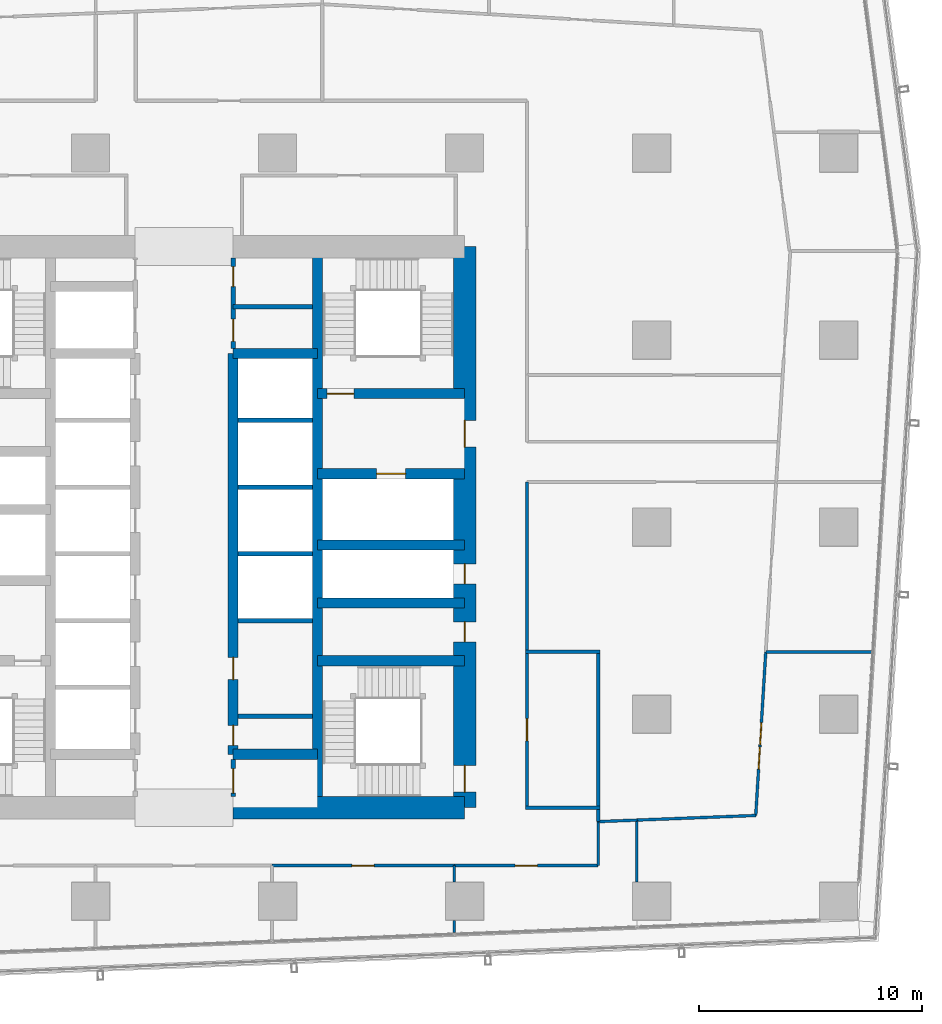
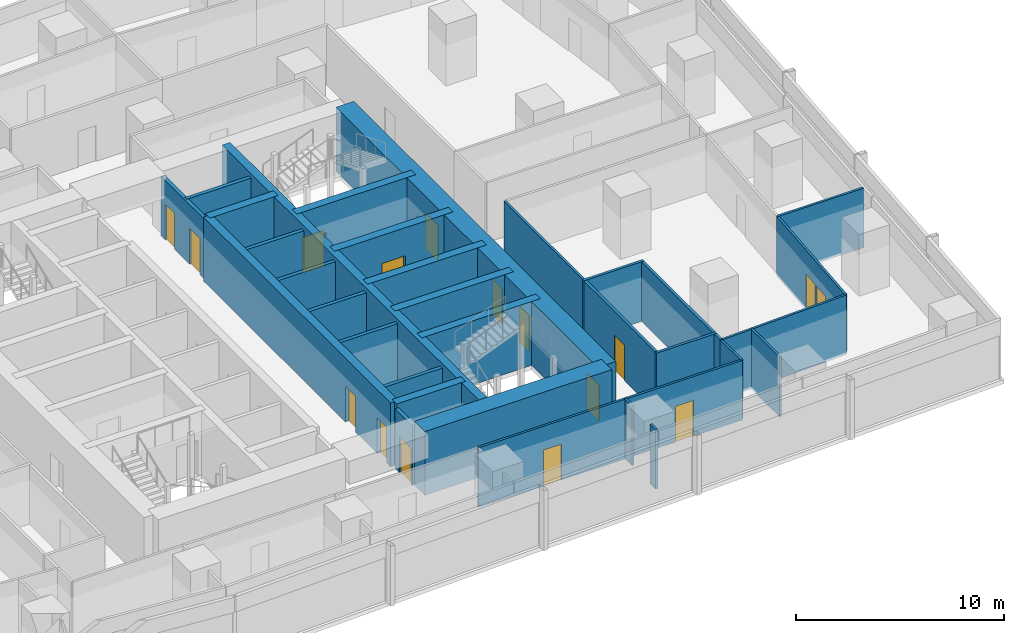
# One storey, part 30 of 40: 35 walls, 16 doors, 16 openings.
"""IFC4 building model written with IfcOpenShell, lengths in metres."""

from ifc_helpers import new_model, si_unit, direction, frame, frame_2d, origin, place, context, subcontext, project, spatial, rectangle, extrude, material, layer, layer_set, type_object, element, fill, save


model = new_model("IFC4")

# Units and contexts
model_context = context("Model", 3, precision=1e-05, world=origin(), true_north=direction((0.0, 1.0)))
body_context = subcontext(model_context, "Body", "Model", "MODEL_VIEW")
ifc_project = project(units=[si_unit("LENGTHUNIT", "METRE"), si_unit("AREAUNIT", "SQUARE_METRE"), si_unit("VOLUMEUNIT", "CUBIC_METRE"), si_unit("PLANEANGLEUNIT", "RADIAN"), si_unit("MASSUNIT", "GRAM", prefix="KILO")], contexts=[model_context])

# Site, building, storey
site_placement = place(None, origin())
site = spatial("IfcSite", under=ifc_project, at=site_placement, CompositionType="ELEMENT")
building_placement = place(site_placement, origin())
building = spatial("IfcBuilding", under=site, at=building_placement, Name="Rekha Terrace Tower", CompositionType="ELEMENT")
storey_placement = place(building_placement, frame((0.0, 0.0, 117.800048828125)))
storey = spatial("IfcBuildingStorey", under=building, at=storey_placement, Name="L29", CompositionType="ELEMENT", Elevation=117.800048828125)

# Wall
ifc_material_1 = material(Name="Concrete M70", Category="concrete")
ifc_layer_1 = layer(ifc_material_1, 0.449951171875)
ifc_layer_set_1 = layer_set([ifc_layer_1], Name="Concrete M70")
wall_type_1 = type_object("IfcWallType", Name="CI2 450 core internal shear wall", PredefinedType="SHEAR", material=ifc_layer_set_1)
wall_1_placement = place(storey_placement, frame((43.800048828125, 21.0, 0.0), z_axis=(0.0, 0.0, 1.0), x_axis=(0.0, 1.0, 0.0)))
element("IfcWall", 1, at=wall_1_placement, inside=storey, type_object=wall_type_1, Name="Core wall X438 L29", PredefinedType="SHEAR", context=body_context, shape_type="SweptSolid", body=[
    extrude(rectangle(XDim=25.199951171875, YDim=0.449951171875, at=frame_2d((12.60009765625, 0.0))), origin(), (0.0, 0.0, 1.0), 3.75),
])

# Wall, openings, doors
wall_2_placement = place(storey_placement, frame((40.0, 23.39990234375, 0.0), z_axis=(0.0, 0.0, 1.0), x_axis=(0.0, 1.0, 0.0)))
wall_2 = element("IfcWall", 2, at=wall_2_placement, inside=storey, type_object=wall_type_1, Name="Core wall X400 L29", PredefinedType="SHEAR", context=body_context, shape_type="SweptSolid", body=[
    extrude(rectangle(XDim=18.0, YDim=0.449951171875, at=frame_2d((9.0, 0.0))), origin(), (0.0, 0.0, 1.0), 3.75),
])
opening_1_placement = place(wall_2_placement, frame((0.39990234375, 0.0, 0.0)))
opening_1 = element("IfcOpeningElement", 3, at=opening_1_placement, cuts=wall_2, Name="Opening D5", PredefinedType="OPENING", context=body_context, shape_type="SweptSolid", body=[
    extrude(rectangle(XDim=0.89990234375, YDim=2.10009765625, at=frame_2d((0.449951171875, 1.050048828125))), frame((0.0, 0.23486328125, 0.0), z_axis=(0.0, -1.0, 0.0), x_axis=(1.0, 0.0, 0.0)), (0.0, 0.0, 1.0), 0.469970703125),
])
opening_2_placement = place(wall_2_placement, frame((3.35009765625, 0.0, 0.0)))
opening_2 = element("IfcOpeningElement", 4, at=opening_2_placement, cuts=wall_2, Name="Opening D3", PredefinedType="OPENING", context=body_context, shape_type="SweptSolid", body=[
    extrude(rectangle(XDim=1.0, YDim=2.10009765625, at=frame_2d((0.5, 1.050048828125))), frame((0.0, 0.23486328125, 0.0), z_axis=(0.0, -1.0, 0.0), x_axis=(1.0, 0.0, 0.0)), (0.0, 0.0, 1.0), 0.469970703125),
])
ifc_material_2 = material(Name="Laminated timber fire door", Category="wood")
door_type_1 = type_object("IfcDoorType", Name="D3 1000x2100 WC door", OperationType="SINGLE_SWING_LEFT", PredefinedType="DOOR", material=ifc_material_2)
door_1_placement = place(opening_2_placement, origin())
door_1 = element("IfcDoor", 5, at=door_1_placement, inside=storey, type_object=door_type_1, Name="Door staff wc L29", OperationType="SINGLE_SWING_LEFT", OverallHeight=2.10009765625, OverallWidth=1.0, PredefinedType="DOOR", context=body_context, shape_type="SweptSolid", body=[
    extrude(rectangle(XDim=1.0, YDim=2.10009765625, at=frame_2d((0.5, 1.050048828125))), frame((0.0, 0.02490234375, 0.0), z_axis=(0.0, -1.0, 0.0), x_axis=(1.0, 0.0, 0.0)), (0.0, 0.0, 1.0), 0.050048828125),
])
fill(opening_2, door_1)
ifc_material_3 = material(Name="Steel fire door", Category="steel")
door_type_2 = type_object("IfcDoorType", Name="D5 900x2100 riser access door", OperationType="SINGLE_SWING_LEFT", PredefinedType="DOOR", material=ifc_material_3)
door_2_placement = place(opening_1_placement, origin())
door_2 = element("IfcDoor", 6, at=door_2_placement, inside=storey, type_object=door_type_2, Name="Door records store L29", OperationType="SINGLE_SWING_LEFT", OverallHeight=2.10009765625, OverallWidth=0.89990234375, PredefinedType="DOOR", context=body_context, shape_type="SweptSolid", body=[
    extrude(rectangle(XDim=0.89990234375, YDim=2.10009765625, at=frame_2d((0.449951171875, 1.050048828125))), frame((0.0, 0.02490234375, 0.0), z_axis=(0.0, -1.0, 0.0), x_axis=(1.0, 0.0, 0.0)), (0.0, 0.0, 1.0), 0.050048828125),
])
fill(opening_1, door_2)

# Walls
for number, where, z_axis, x_axis, name in (
    (7, (40.0, 23.39990234375, 0.0), (0.0, 0.0, 1.0), (1.0, 0.0, 0.0), "Core wall Y234E L29"),
    (8, (40.0, 41.39990234375, 0.0), (0.0, 0.0, 1.0), (1.0, 0.0, 0.0), "Core wall Y414E L29"),
):
    element("IfcWall", number, at=place(storey_placement, frame(where, z_axis=z_axis, x_axis=x_axis)), inside=storey, type_object=wall_type_1, Name=name, PredefinedType="SHEAR", context=body_context, shape_type="SweptSolid", body=[
        extrude(rectangle(XDim=3.800048828125, YDim=0.449951171875, at=frame_2d((1.89990234375, 0.0))), origin(), (0.0, 0.0, 1.0), 3.75),
    ])
for number, where, z_axis, x_axis, name in (
    (9, (43.800048828125, 27.60009765625, 0.0), (0.0, 0.0, 1.0), (1.0, 0.0, 0.0), "Core wall Y276E L29"),
    (10, (43.800048828125, 30.199951171875, 0.0), (0.0, 0.0, 1.0), (1.0, 0.0, 0.0), "Core wall Y302E L29"),
    (11, (43.800048828125, 32.800048828125, 0.0), (0.0, 0.0, 1.0), (1.0, 0.0, 0.0), "Core wall Y328E L29"),
):
    element("IfcWall", number, at=place(storey_placement, frame(where, z_axis=z_axis, x_axis=x_axis)), inside=storey, type_object=wall_type_1, Name=name, PredefinedType="SHEAR", context=body_context, shape_type="SweptSolid", body=[
        extrude(rectangle(XDim=6.599853515625, YDim=0.449951171875, at=frame_2d((3.2998046875, 0.0))), origin(), (0.0, 0.0, 1.0), 3.75),
    ])

# Wall, opening, door
wall_3_placement = place(storey_placement, frame((43.800048828125, 36.0, 0.0), z_axis=(0.0, 0.0, 1.0), x_axis=(1.0, 0.0, 0.0)))
wall_3 = element("IfcWall", 12, at=wall_3_placement, inside=storey, type_object=wall_type_1, Name="Core wall Y360E L29", PredefinedType="SHEAR", context=body_context, shape_type="SweptSolid", body=[
    extrude(rectangle(XDim=6.599853515625, YDim=0.449951171875, at=frame_2d((3.2998046875, 0.0))), origin(), (0.0, 0.0, 1.0), 3.75),
])
opening_3_placement = place(wall_3_placement, frame((2.64990234375, 0.0, 0.0)))
opening_3 = element("IfcOpeningElement", 13, at=opening_3_placement, cuts=wall_3, Name="Opening LD2", PredefinedType="OPENING", context=body_context, shape_type="SweptSolid", body=[
    extrude(rectangle(XDim=1.300048828125, YDim=2.10009765625, at=frame_2d((0.64990234375, 1.050048828125))), frame((0.0, 0.23486328125, 0.0), z_axis=(0.0, -1.0, 0.0), x_axis=(1.0, 0.0, 0.0)), (0.0, 0.0, 1.0), 0.469970703125),
])
ifc_material_4 = material(Name="Stainless steel sliding landing door", Category="steel")
door_type_3 = type_object("IfcDoorType", Name="LD2 1300x2100 fire lift landing door", OperationType="SLIDING_TO_LEFT", PredefinedType="USERDEFINED", material=ifc_material_4)
door_3_placement = place(opening_3_placement, origin())
door_3 = element("IfcDoor", 14, at=door_3_placement, inside=storey, type_object=door_type_3, Name="Lift FL2 landing door L29", ObjectType="LIFT LANDING DOOR", OperationType="SLIDING_TO_LEFT", OverallHeight=2.10009765625, OverallWidth=1.300048828125, PredefinedType="USERDEFINED", context=body_context, shape_type="SweptSolid", body=[
    extrude(rectangle(XDim=1.300048828125, YDim=2.10009765625, at=frame_2d((0.64990234375, 1.050048828125))), frame((0.0, 0.02490234375, 0.0), z_axis=(0.0, -1.0, 0.0), x_axis=(1.0, 0.0, 0.0)), (0.0, 0.0, 1.0), 0.050048828125),
])
fill(opening_3, door_3)

wall_4_placement = place(storey_placement, frame((43.800048828125, 39.60009765625, 0.0), z_axis=(0.0, 0.0, 1.0), x_axis=(1.0, 0.0, 0.0)))
wall_4 = element("IfcWall", 15, at=wall_4_placement, inside=storey, type_object=wall_type_1, Name="Core wall Y396E L29", PredefinedType="SHEAR", context=body_context, shape_type="SweptSolid", body=[
    extrude(rectangle(XDim=6.599853515625, YDim=0.449951171875, at=frame_2d((3.2998046875, 0.0))), origin(), (0.0, 0.0, 1.0), 3.75),
])
opening_4_placement = place(wall_4_placement, frame((0.425048828125, 0.0, 0.0)))
opening_4 = element("IfcOpeningElement", 16, at=opening_4_placement, cuts=wall_4, Name="Opening D1", PredefinedType="OPENING", context=body_context, shape_type="SweptSolid", body=[
    extrude(rectangle(XDim=1.199951171875, YDim=2.10009765625, at=frame_2d((0.60009765625, 1.050048828125))), frame((0.0, 0.23486328125, 0.0), z_axis=(0.0, -1.0, 0.0), x_axis=(1.0, 0.0, 0.0)), (0.0, 0.0, 1.0), 0.469970703125),
])
door_type_4 = type_object("IfcDoorType", Name="D1 1200x2100 stair fire door", OperationType="SINGLE_SWING_RIGHT", PredefinedType="DOOR", material=ifc_material_3)
door_4_placement = place(opening_4_placement, origin())
door_4 = element("IfcDoor", 17, at=door_4_placement, inside=storey, type_object=door_type_4, Name="Stair ST2 door L29", OperationType="SINGLE_SWING_RIGHT", OverallHeight=2.10009765625, OverallWidth=1.199951171875, PredefinedType="DOOR", context=body_context, shape_type="SweptSolid", body=[
    extrude(rectangle(XDim=1.199951171875, YDim=2.10009765625, at=frame_2d((0.60009765625, 1.050048828125))), frame((0.0, 0.02490234375, 0.0), z_axis=(0.0, -1.0, 0.0), x_axis=(1.0, 0.0, 0.0)), (0.0, 0.0, 1.0), 0.050048828125),
])
fill(opening_4, door_4)

# Wall
ifc_layer_2 = layer(ifc_material_1, 1.0)
ifc_layer_set_2 = layer_set([ifc_layer_2], Name="Concrete M70")
wall_type_2 = type_object("IfcWallType", Name="SW2 1000 core outer shear wall", PredefinedType="SHEAR", material=ifc_layer_set_2)
wall_5_placement = place(storey_placement, frame((40.0, 21.0, 0.0), z_axis=(0.0, 0.0, 1.0), x_axis=(1.0, 0.0, 0.0)))
element("IfcWall", 18, at=wall_5_placement, inside=storey, type_object=wall_type_2, Name="Core wall S2 L29", PredefinedType="SHEAR", context=body_context, shape_type="SweptSolid", body=[
    extrude(rectangle(XDim=10.39990234375, YDim=1.0, at=frame_2d((5.199951171875, 0.0))), origin(), (0.0, 0.0, 1.0), 3.75),
])

# Wall, openings, doors
wall_6_placement = place(storey_placement, frame((50.39990234375, 21.0, 0.0), z_axis=(0.0, 0.0, 1.0), x_axis=(0.0, 1.0, 0.0)))
wall_6 = element("IfcWall", 19, at=wall_6_placement, inside=storey, type_object=wall_type_2, Name="Core wall E L29", PredefinedType="SHEAR", context=body_context, shape_type="SweptSolid", body=[
    extrude(rectangle(XDim=25.199951171875, YDim=1.0, at=frame_2d((12.60009765625, 0.0))), origin(), (0.0, 0.0, 1.0), 3.75),
])
opening_5_placement = place(wall_6_placement, frame((16.199951171875, 0.0, 0.0)))
opening_5 = element("IfcOpeningElement", 20, at=opening_5_placement, cuts=wall_6, Name="Opening D2", PredefinedType="OPENING", context=body_context, shape_type="SweptSolid", body=[
    extrude(rectangle(XDim=1.199951171875, YDim=2.10009765625, at=frame_2d((0.60009765625, 1.050048828125))), frame((0.0, 0.510009765625, 0.0), z_axis=(0.0, -1.0, 0.0), x_axis=(1.0, 0.0, 0.0)), (0.0, 0.0, 1.0), 1.02001953125),
])
opening_6_placement = place(wall_6_placement, frame((10.050048828125, 0.0, 0.0)))
opening_6 = element("IfcOpeningElement", 21, at=opening_6_placement, cuts=wall_6, Name="Opening D5", PredefinedType="OPENING", context=body_context, shape_type="SweptSolid", body=[
    extrude(rectangle(XDim=0.89990234375, YDim=2.10009765625, at=frame_2d((0.449951171875, 1.050048828125))), frame((0.0, 0.510009765625, 0.0), z_axis=(0.0, -1.0, 0.0), x_axis=(1.0, 0.0, 0.0)), (0.0, 0.0, 1.0), 1.02001953125),
])
opening_7_placement = place(wall_6_placement, frame((7.449951171875, 0.0, 0.0)))
opening_7 = element("IfcOpeningElement", 22, at=opening_7_placement, cuts=wall_6, Name="Opening D5", PredefinedType="OPENING", context=body_context, shape_type="SweptSolid", body=[
    extrude(rectangle(XDim=0.89990234375, YDim=2.10009765625, at=frame_2d((0.449951171875, 1.050048828125))), frame((0.0, 0.510009765625, 0.0), z_axis=(0.0, -1.0, 0.0), x_axis=(1.0, 0.0, 0.0)), (0.0, 0.0, 1.0), 1.02001953125),
])
opening_8_placement = place(wall_6_placement, frame((0.699951171875, 0.0, 0.0)))
opening_8 = element("IfcOpeningElement", 23, at=opening_8_placement, cuts=wall_6, Name="Opening D1", PredefinedType="OPENING", context=body_context, shape_type="SweptSolid", body=[
    extrude(rectangle(XDim=1.199951171875, YDim=2.10009765625, at=frame_2d((0.60009765625, 1.050048828125))), frame((0.0, 0.510009765625, 0.0), z_axis=(0.0, -1.0, 0.0), x_axis=(1.0, 0.0, 0.0)), (0.0, 0.0, 1.0), 1.02001953125),
])
door_5_placement = place(opening_8_placement, origin())
door_5 = element("IfcDoor", 24, at=door_5_placement, inside=storey, type_object=door_type_4, Name="Stair ST3 door L29", OperationType="SINGLE_SWING_RIGHT", OverallHeight=2.10009765625, OverallWidth=1.199951171875, PredefinedType="DOOR", context=body_context, shape_type="SweptSolid", body=[
    extrude(rectangle(XDim=1.199951171875, YDim=2.10009765625, at=frame_2d((0.60009765625, 1.050048828125))), frame((0.0, 0.02490234375, 0.0), z_axis=(0.0, -1.0, 0.0), x_axis=(1.0, 0.0, 0.0)), (0.0, 0.0, 1.0), 0.050048828125),
])
fill(opening_8, door_5)
door_type_5 = type_object("IfcDoorType", Name="D2 1200x2100 firefighting lobby door", OperationType="SINGLE_SWING_LEFT", PredefinedType="DOOR", material=ifc_material_3)
door_6_placement = place(opening_5_placement, origin())
door_6 = element("IfcDoor", 25, at=door_6_placement, inside=storey, type_object=door_type_5, Name="Door flb2 L29", OperationType="SINGLE_SWING_LEFT", OverallHeight=2.10009765625, OverallWidth=1.199951171875, PredefinedType="DOOR", context=body_context, shape_type="SweptSolid", body=[
    extrude(rectangle(XDim=1.199951171875, YDim=2.10009765625, at=frame_2d((0.60009765625, 1.050048828125))), frame((0.0, 0.02490234375, 0.0), z_axis=(0.0, -1.0, 0.0), x_axis=(1.0, 0.0, 0.0)), (0.0, 0.0, 1.0), 0.050048828125),
])
fill(opening_5, door_6)
door_7_placement = place(opening_6_placement, origin())
door_7 = element("IfcDoor", 26, at=door_7_placement, inside=storey, type_object=door_type_2, Name="Door rs2 L29", OperationType="SINGLE_SWING_LEFT", OverallHeight=2.10009765625, OverallWidth=0.89990234375, PredefinedType="DOOR", context=body_context, shape_type="SweptSolid", body=[
    extrude(rectangle(XDim=0.89990234375, YDim=2.10009765625, at=frame_2d((0.449951171875, 1.050048828125))), frame((0.0, 0.02490234375, 0.0), z_axis=(0.0, -1.0, 0.0), x_axis=(1.0, 0.0, 0.0)), (0.0, 0.0, 1.0), 0.050048828125),
])
fill(opening_6, door_7)
door_8_placement = place(opening_7_placement, origin())
door_8 = element("IfcDoor", 27, at=door_8_placement, inside=storey, type_object=door_type_2, Name="Door ele L29", OperationType="SINGLE_SWING_LEFT", OverallHeight=2.10009765625, OverallWidth=0.89990234375, PredefinedType="DOOR", context=body_context, shape_type="SweptSolid", body=[
    extrude(rectangle(XDim=0.89990234375, YDim=2.10009765625, at=frame_2d((0.449951171875, 1.050048828125))), frame((0.0, 0.02490234375, 0.0), z_axis=(0.0, -1.0, 0.0), x_axis=(1.0, 0.0, 0.0)), (0.0, 0.0, 1.0), 0.050048828125),
])
fill(opening_7, door_8)

# Walls
ifc_material_5 = material(Name="Concrete block masonry, 1 hour", Category="masonry")
ifc_layer_3 = layer(ifc_material_5, 0.14990234375)
ifc_layer_set_3 = layer_set([ifc_layer_3], Name="Concrete block masonry, 1 hour")
wall_type_3 = type_object("IfcWallType", Name="WP2 150 tenancy partition", PredefinedType="PARTITIONING", material=ifc_layer_set_3)
for number, where, z_axis, x_axis, name in (
    (28, (53.125, 21.0, 0.0), (0.0, 0.0, 1.0), (1.0, 0.0, 0.0), "Men's WC wall L29"),
    (29, (53.125, 28.0, 0.0), (0.0, 0.0, 1.0), (1.0, 0.0, 0.0), "Men's WC wall L29"),
):
    element("IfcWall", number, at=place(storey_placement, frame(where, z_axis=z_axis, x_axis=x_axis)), inside=storey, type_object=wall_type_3, Name=name, PredefinedType="PARTITIONING", context=body_context, shape_type="SweptSolid", body=[
        extrude(rectangle(XDim=3.35009765625, YDim=0.14990234375, at=frame_2d((1.675048828125, 0.0))), origin(), (0.0, 0.0, 1.0), 3.5),
    ])

# Wall, opening, door
wall_7_placement = place(storey_placement, frame((53.199951171875, 21.074951171875, 0.0), z_axis=(0.0, 0.0, 1.0), x_axis=(0.0, 1.0, 0.0)))
wall_7 = element("IfcWall", 30, at=wall_7_placement, inside=storey, type_object=wall_type_3, Name="Men's WC wall L29", PredefinedType="PARTITIONING", context=body_context, shape_type="SweptSolid", body=[
    extrude(rectangle(XDim=6.85009765625, YDim=0.14990234375, at=frame_2d((3.425048828125, 0.0))), origin(), (0.0, 0.0, 1.0), 3.5),
])
opening_9_placement = place(wall_7_placement, frame((2.925048828125, 0.0, 0.0)))
opening_9 = element("IfcOpeningElement", 31, at=opening_9_placement, cuts=wall_7, Name="Opening D3", PredefinedType="OPENING", context=body_context, shape_type="SweptSolid", body=[
    extrude(rectangle(XDim=1.0, YDim=2.10009765625, at=frame_2d((0.5, 1.050048828125))), frame((0.0, 0.0849609375, 0.0), z_axis=(0.0, -1.0, 0.0), x_axis=(1.0, 0.0, 0.0)), (0.0, 0.0, 1.0), 0.169921875),
])
door_9_placement = place(opening_9_placement, origin())
door_9 = element("IfcDoor", 32, at=door_9_placement, inside=storey, type_object=door_type_1, Name="Door men's wc L29", OperationType="SINGLE_SWING_LEFT", OverallHeight=2.10009765625, OverallWidth=1.0, PredefinedType="DOOR", context=body_context, shape_type="SweptSolid", body=[
    extrude(rectangle(XDim=1.0, YDim=2.10009765625, at=frame_2d((0.5, 1.050048828125))), frame((0.0, 0.02490234375, 0.0), z_axis=(0.0, -1.0, 0.0), x_axis=(1.0, 0.0, 0.0)), (0.0, 0.0, 1.0), 0.050048828125),
])
fill(opening_9, door_9)

# Walls
wall_8_placement = place(storey_placement, frame((56.39990234375, 21.074951171875, 0.0), z_axis=(0.0, 0.0, 1.0), x_axis=(0.0, 1.0, 0.0)))
element("IfcWall", 33, at=wall_8_placement, inside=storey, type_object=wall_type_3, Name="Men's WC wall L29", PredefinedType="PARTITIONING", context=body_context, shape_type="SweptSolid", body=[
    extrude(rectangle(XDim=6.85009765625, YDim=0.14990234375, at=frame_2d((3.425048828125, 0.0))), origin(), (0.0, 0.0, 1.0), 3.5),
])
wall_9_placement = place(storey_placement, frame((56.39990234375, 20.3740234375, 0.0), z_axis=(0.0, 0.0, 1.0), x_axis=(0.0, 1.0, 0.0)))
element("IfcWall", 34, at=wall_9_placement, inside=storey, type_object=wall_type_3, Name="Partition L29-O1b", PredefinedType="PARTITIONING", context=body_context, shape_type="SweptSolid", body=[
    extrude(rectangle(XDim=0.551025390625, YDim=0.14990234375, at=frame_2d((0.275390625, 0.0))), origin(), (0.0, 0.0, 1.0), 3.5),
])

# Wall, opening, door
ifc_material_6 = material(Name="Two layers of fire-rated gypsum board each side on steel studs, acoustic quilt, 1 hour", Category="steel")
ifc_layer_4 = layer(ifc_material_6, 0.125)
ifc_layer_set_4 = layer_set([ifc_layer_4], Name="Two layers of fire-rated gypsum board each side on steel studs, acoustic quilt, 1 hour")
wall_type_4 = type_object("IfcWallType", Name="WP3 125 office partition", PredefinedType="PARTITIONING", material=ifc_layer_set_4)
wall_10_placement = place(storey_placement, frame((41.740966796875, 18.39990234375, 0.0), z_axis=(0.0, 0.0, 1.0), x_axis=(1.0, 0.0, 0.0)))
wall_10 = element("IfcWall", 35, at=wall_10_placement, inside=storey, type_object=wall_type_4, Name="Partition L29-02", PredefinedType="PARTITIONING", context=body_context, shape_type="SweptSolid", body=[
    extrude(rectangle(XDim=8.195068359375, YDim=0.125, at=frame_2d((4.09765625, 0.0))), origin(), (0.0, 0.0, 1.0), 3.5),
])
opening_10_placement = place(wall_10_placement, frame((3.596923828125, 0.0, 0.0)))
opening_10 = element("IfcOpeningElement", 36, at=opening_10_placement, cuts=wall_10, Name="Opening D9", PredefinedType="OPENING", context=body_context, shape_type="SweptSolid", body=[
    extrude(rectangle(XDim=1.0, YDim=2.10009765625, at=frame_2d((0.5, 1.050048828125))), frame((0.0, 0.072509765625, 0.0), z_axis=(0.0, -1.0, 0.0), x_axis=(1.0, 0.0, 0.0)), (0.0, 0.0, 1.0), 0.14501953125),
])
ifc_material_7 = material(Name="Timber fire door", Category="wood")
door_type_6 = type_object("IfcDoorType", Name="D9 1000x2100 office door", OperationType="SINGLE_SWING_LEFT", PredefinedType="DOOR", material=ifc_material_7)
door_10_placement = place(opening_10_placement, origin())
door_10 = element("IfcDoor", 37, at=door_10_placement, inside=storey, type_object=door_type_6, Name="Door pantry L29", OperationType="SINGLE_SWING_LEFT", OverallHeight=2.10009765625, OverallWidth=1.0, PredefinedType="DOOR", context=body_context, shape_type="SweptSolid", body=[
    extrude(rectangle(XDim=1.0, YDim=2.10009765625, at=frame_2d((0.5, 1.050048828125))), frame((0.0, 0.02490234375, 0.0), z_axis=(0.0, -1.0, 0.0), x_axis=(1.0, 0.0, 0.0)), (0.0, 0.0, 1.0), 0.050048828125),
])
fill(opening_10, door_10)

# Walls
wall_11_placement = place(storey_placement, frame((49.93603515625, 18.39990234375, 0.0), z_axis=(0.0, 0.0, 1.0), x_axis=(0.0, -1.0, 0.0)))
element("IfcWall", 38, at=wall_11_placement, inside=storey, type_object=wall_type_4, Name="Partition L29-02", PredefinedType="PARTITIONING", context=body_context, shape_type="SweptSolid", body=[
    extrude(rectangle(XDim=0.72998046875, YDim=0.125, at=frame_2d((0.364990234375, 0.0))), origin(), (0.0, 0.0, 1.0), 3.5),
])
wall_12_placement = place(storey_placement, frame((49.93603515625, 15.929931640625, 0.0), z_axis=(0.0, 0.0, 1.0), x_axis=(0.0, -1.0, 0.0)))
element("IfcWall", 39, at=wall_12_placement, inside=storey, type_object=wall_type_4, Name="Partition L29-02", PredefinedType="PARTITIONING", context=body_context, shape_type="SweptSolid", body=[
    extrude(rectangle(XDim=0.531005859375, YDim=0.125, at=frame_2d((0.265625, 0.0))), origin(), (0.0, 0.0, 1.0), 3.5),
])

# Wall, opening, door
wall_13_placement = place(storey_placement, frame((49.93701171875, 18.39990234375, 0.0), z_axis=(0.0, 0.0, 1.0), x_axis=(1.0, 0.0, 0.0)))
wall_13 = element("IfcWall", 40, at=wall_13_placement, inside=storey, type_object=wall_type_4, Name="Partition L29-03", PredefinedType="PARTITIONING", context=body_context, shape_type="SweptSolid", body=[
    extrude(rectangle(XDim=6.462890625, YDim=0.125, at=frame_2d((3.2314453125, 0.0))), origin(), (0.0, 0.0, 1.0), 3.5),
])
opening_11_placement = place(wall_13_placement, frame((2.73095703125, 0.0, 0.0)))
opening_11 = element("IfcOpeningElement", 41, at=opening_11_placement, cuts=wall_13, Name="Opening D9", PredefinedType="OPENING", context=body_context, shape_type="SweptSolid", body=[
    extrude(rectangle(XDim=1.0, YDim=2.10009765625, at=frame_2d((0.5, 1.050048828125))), frame((0.0, 0.072509765625, 0.0), z_axis=(0.0, -1.0, 0.0), x_axis=(1.0, 0.0, 0.0)), (0.0, 0.0, 1.0), 0.14501953125),
])
door_11_placement = place(opening_11_placement, origin())
door_11 = element("IfcDoor", 42, at=door_11_placement, inside=storey, type_object=door_type_6, Name="Door meeting room L29", OperationType="SINGLE_SWING_LEFT", OverallHeight=2.10009765625, OverallWidth=1.0, PredefinedType="DOOR", context=body_context, shape_type="SweptSolid", body=[
    extrude(rectangle(XDim=1.0, YDim=2.10009765625, at=frame_2d((0.5, 1.050048828125))), frame((0.0, 0.02490234375, 0.0), z_axis=(0.0, -1.0, 0.0), x_axis=(1.0, 0.0, 0.0)), (0.0, 0.0, 1.0), 0.050048828125),
])
fill(opening_11, door_11)

# Walls
wall_14_placement = place(storey_placement, frame((56.39990234375, 18.39990234375, 0.0), z_axis=(0.0, 0.0, 1.0), x_axis=(0.0, 1.0, 0.0)))
element("IfcWall", 43, at=wall_14_placement, inside=storey, type_object=wall_type_4, Name="Partition L29-03", PredefinedType="PARTITIONING", context=body_context, shape_type="SweptSolid", body=[
    extrude(rectangle(XDim=1.97412109375, YDim=0.125, at=frame_2d((0.987060546875, 0.0))), origin(), (0.0, 0.0, 1.0), 3.5),
])
wall_15_placement = place(storey_placement, frame((56.39990234375, 20.3740234375, 0.0), z_axis=(0.0, 0.0, 1.0), x_axis=(0.999234110548, 0.039130452561, 0.0)))
element("IfcWall", 44, at=wall_15_placement, inside=storey, type_object=wall_type_4, Name="Partition L29-03", PredefinedType="PARTITIONING", context=body_context, shape_type="SweptSolid", body=[
    extrude(rectangle(XDim=1.734375, YDim=0.125, at=frame_2d((0.8671875, 0.0))), origin(), (0.0, 0.0, 1.0), 3.5),
])
wall_16_placement = place(storey_placement, frame((58.133056640625, 20.44189453125, 0.0), z_axis=(0.0, 0.0, 1.0), x_axis=(0.0, -1.0, 0.0)))
element("IfcWall", 45, at=wall_16_placement, inside=storey, type_object=wall_type_4, Name="Partition L29-03", PredefinedType="PARTITIONING", context=body_context, shape_type="SweptSolid", body=[
    extrude(rectangle(XDim=2.77197265625, YDim=0.125, at=frame_2d((1.385986328125, 0.0))), origin(), (0.0, 0.0, 1.0), 3.5),
])
wall_17_placement = place(storey_placement, frame((58.134033203125, 20.44189453125, 0.0), z_axis=(0.0, 0.0, 1.0), x_axis=(0.999242781249, 0.03890840682, 0.0)))
element("IfcWall", 46, at=wall_17_placement, inside=storey, type_object=wall_type_4, Name="Partition L29-04", PredefinedType="PARTITIONING", context=body_context, shape_type="SweptSolid", body=[
    extrude(rectangle(XDim=5.34619140625, YDim=0.125, at=frame_2d((2.673095703125, 0.0))), origin(), (0.0, 0.0, 1.0), 3.5),
])

# Wall, openings, doors
wall_18_placement = place(storey_placement, frame((63.47607421875, 20.64990234375, 0.0), z_axis=(0.0, 0.0, 1.0), x_axis=(0.061135017565, 0.998129505439, 0.0)))
wall_18 = element("IfcWall", 47, at=wall_18_placement, inside=storey, type_object=wall_type_4, Name="Partition L29-04", PredefinedType="PARTITIONING", context=body_context, shape_type="SweptSolid", body=[
    extrude(rectangle(XDim=7.35986328125, YDim=0.125, at=frame_2d((3.679931640625, 0.0))), origin(), (0.0, 0.0, 1.0), 3.5),
])
opening_12_placement = place(wall_18_placement, frame((3.179931640625, 0.0, 0.0)))
opening_12 = element("IfcOpeningElement", 48, at=opening_12_placement, cuts=wall_18, Name="Opening D9", PredefinedType="OPENING", context=body_context, shape_type="SweptSolid", body=[
    extrude(rectangle(XDim=1.0, YDim=2.10009765625, at=frame_2d((0.5, 1.050048828125))), frame((0.0, 0.072509765625, 0.0), z_axis=(0.0, -1.0, 0.0), x_axis=(1.0, 0.0, 0.0)), (0.0, 0.0, 1.0), 0.14501953125),
])
opening_13_placement = place(wall_18_placement, frame((2.080078125, 0.0, 0.0)))
opening_13 = element("IfcOpeningElement", 49, at=opening_13_placement, cuts=wall_18, Name="Opening D9", PredefinedType="OPENING", context=body_context, shape_type="SweptSolid", body=[
    extrude(rectangle(XDim=1.0, YDim=2.10009765625, at=frame_2d((0.5, 1.050048828125))), frame((0.0, 0.072509765625, 0.0), z_axis=(0.0, -1.0, 0.0), x_axis=(1.0, 0.0, 0.0)), (0.0, 0.0, 1.0), 0.14501953125),
])
door_12_placement = place(opening_12_placement, origin())
door_12 = element("IfcDoor", 50, at=door_12_placement, inside=storey, type_object=door_type_6, Name="Door director's office L29", OperationType="SINGLE_SWING_LEFT", OverallHeight=2.10009765625, OverallWidth=1.0, PredefinedType="DOOR", context=body_context, shape_type="SweptSolid", body=[
    extrude(rectangle(XDim=1.0, YDim=2.10009765625, at=frame_2d((0.5, 1.050048828125))), frame((0.0, 0.02490234375, 0.0), z_axis=(0.0, -1.0, 0.0), x_axis=(1.0, 0.0, 0.0)), (0.0, 0.0, 1.0), 0.050048828125),
])
fill(opening_12, door_12)
door_13_placement = place(opening_13_placement, origin())
door_13 = element("IfcDoor", 51, at=door_13_placement, inside=storey, type_object=door_type_6, Name="Door open-plan office L29", OperationType="SINGLE_SWING_LEFT", OverallHeight=2.10009765625, OverallWidth=1.0, PredefinedType="DOOR", context=body_context, shape_type="SweptSolid", body=[
    extrude(rectangle(XDim=1.0, YDim=2.10009765625, at=frame_2d((0.5, 1.050048828125))), frame((0.0, 0.02490234375, 0.0), z_axis=(0.0, -1.0, 0.0), x_axis=(1.0, 0.0, 0.0)), (0.0, 0.0, 1.0), 0.050048828125),
])
fill(opening_13, door_13)

# Walls
wall_19_placement = place(storey_placement, frame((63.926025390625, 27.99609375, 0.0), z_axis=(0.0, 0.0, 1.0), x_axis=(1.0, 0.0, 0.0)))
element("IfcWall", 52, at=wall_19_placement, inside=storey, type_object=wall_type_4, Name="Partition L29-04", PredefinedType="PARTITIONING", context=body_context, shape_type="SweptSolid", body=[
    extrude(rectangle(XDim=4.758056640625, YDim=0.125, at=frame_2d((2.37890625, 0.0))), origin(), (0.0, 0.0, 1.0), 3.5),
])
wall_20_placement = place(storey_placement, frame((53.199951171875, 28.074951171875, 0.0), z_axis=(0.0, 0.0, 1.0), x_axis=(0.0, 1.0, 0.0)))
element("IfcWall", 53, at=wall_20_placement, inside=storey, type_object=wall_type_4, Name="Partition L29-11", PredefinedType="PARTITIONING", context=body_context, shape_type="SweptSolid", body=[
    extrude(rectangle(XDim=7.55810546875, YDim=0.125, at=frame_2d((3.779052734375, 0.0))), origin(), (0.0, 0.0, 1.0), 3.5),
])
ifc_material_8 = material(Name="Solid concrete block masonry, 2 hour", Category="masonry")
ifc_layer_5 = layer(ifc_material_8, 0.199951171875)
ifc_layer_set_5 = layer_set([ifc_layer_5], Name="Solid concrete block masonry, 2 hour")
wall_type_5 = type_object("IfcWallType", Name="WS1 200 stair and shaft enclosure", PredefinedType="PARTITIONING", material=ifc_layer_set_5)
for number, where, z_axis, x_axis, name in (
    (54, (40.22509765625, 29.39990234375, 0.0), (0.0, 0.0, 1.0), (1.0, 0.0, 0.0), "Lift shaft divider L29"),
    (55, (40.22509765625, 32.39990234375, 0.0), (0.0, 0.0, 1.0), (1.0, 0.0, 0.0), "Lift shaft divider L29"),
    (56, (40.22509765625, 35.39990234375, 0.0), (0.0, 0.0, 1.0), (1.0, 0.0, 0.0), "Lift shaft divider L29"),
    (57, (40.22509765625, 38.39990234375, 0.0), (0.0, 0.0, 1.0), (1.0, 0.0, 0.0), "Lift shaft divider L29"),
):
    element("IfcWall", number, at=place(storey_placement, frame(where, z_axis=z_axis, x_axis=x_axis)), inside=storey, type_object=wall_type_5, Name=name, PredefinedType="PARTITIONING", context=body_context, shape_type="SweptSolid", body=[
        extrude(rectangle(XDim=3.349853515625, YDim=0.199951171875, at=frame_2d((1.6748046875, 0.0))), origin(), (0.0, 0.0, 1.0), 3.5),
    ])

# Wall, opening, door
wall_21_placement = place(storey_placement, frame((40.0, 21.5, 0.0), z_axis=(0.0, 0.0, 1.0), x_axis=(0.0, 1.0, 0.0)))
wall_21 = element("IfcWall", 58, at=wall_21_placement, inside=storey, type_object=wall_type_5, Name="Core partition wca L29", PredefinedType="PARTITIONING", context=body_context, shape_type="SweptSolid", body=[
    extrude(rectangle(XDim=1.675048828125, YDim=0.199951171875, at=frame_2d((0.83740234375, 0.0))), origin(), (0.0, 0.0, 1.0), 3.5),
])
opening_14_placement = place(wall_21_placement, frame((0.14990234375, 0.0, 0.0)))
opening_14 = element("IfcOpeningElement", 59, at=opening_14_placement, cuts=wall_21, Name="Opening D4", PredefinedType="OPENING", context=body_context, shape_type="SweptSolid", body=[
    extrude(rectangle(XDim=1.10009765625, YDim=2.10009765625, at=frame_2d((0.550048828125, 1.050048828125))), frame((0.0, 0.10986328125, 0.0), z_axis=(0.0, -1.0, 0.0), x_axis=(1.0, 0.0, 0.0)), (0.0, 0.0, 1.0), 0.219970703125),
])
door_type_7 = type_object("IfcDoorType", Name="D4 1100x2100 accessible WC door", OperationType="SLIDING_TO_LEFT", PredefinedType="DOOR", material=ifc_material_2)
door_14_placement = place(opening_14_placement, origin())
door_14 = element("IfcDoor", 60, at=door_14_placement, inside=storey, type_object=door_type_7, Name="Door wca L29", OperationType="SLIDING_TO_LEFT", OverallHeight=2.10009765625, OverallWidth=1.10009765625, PredefinedType="DOOR", context=body_context, shape_type="SweptSolid", body=[
    extrude(rectangle(XDim=1.10009765625, YDim=2.10009765625, at=frame_2d((0.550048828125, 1.050048828125))), frame((0.0, 0.02490234375, 0.0), z_axis=(0.0, -1.0, 0.0), x_axis=(1.0, 0.0, 0.0)), (0.0, 0.0, 1.0), 0.050048828125),
])
fill(opening_14, door_14)

# Wall, openings, doors
wall_22_placement = place(storey_placement, frame((40.0, 41.625, 0.0), z_axis=(0.0, 0.0, 1.0), x_axis=(0.0, 1.0, 0.0)))
wall_22 = element("IfcWall", 61, at=wall_22_placement, inside=storey, type_object=wall_type_5, Name="Core partition elec L29", PredefinedType="PARTITIONING", context=body_context, shape_type="SweptSolid", body=[
    extrude(rectangle(XDim=4.074951171875, YDim=0.199951171875, at=frame_2d((2.03759765625, 0.0))), origin(), (0.0, 0.0, 1.0), 3.5),
])
opening_15_placement = place(wall_22_placement, frame((2.77490234375, 0.0, 0.0)))
opening_15 = element("IfcOpeningElement", 62, at=opening_15_placement, cuts=wall_22, Name="Opening D5", PredefinedType="OPENING", context=body_context, shape_type="SweptSolid", body=[
    extrude(rectangle(XDim=0.89990234375, YDim=2.10009765625, at=frame_2d((0.449951171875, 1.050048828125))), frame((0.0, 0.10986328125, 0.0), z_axis=(0.0, -1.0, 0.0), x_axis=(1.0, 0.0, 0.0)), (0.0, 0.0, 1.0), 0.219970703125),
])
opening_16_placement = place(wall_22_placement, frame((0.324951171875, 0.0, 0.0)))
opening_16 = element("IfcOpeningElement", 63, at=opening_16_placement, cuts=wall_22, Name="Opening D9", PredefinedType="OPENING", context=body_context, shape_type="SweptSolid", body=[
    extrude(rectangle(XDim=1.0, YDim=2.10009765625, at=frame_2d((0.5, 1.050048828125))), frame((0.0, 0.10986328125, 0.0), z_axis=(0.0, -1.0, 0.0), x_axis=(1.0, 0.0, 0.0)), (0.0, 0.0, 1.0), 0.219970703125),
])
door_15_placement = place(opening_15_placement, origin())
door_15 = element("IfcDoor", 64, at=door_15_placement, inside=storey, type_object=door_type_2, Name="Door electrical room L29", OperationType="SINGLE_SWING_LEFT", OverallHeight=2.10009765625, OverallWidth=0.89990234375, PredefinedType="DOOR", context=body_context, shape_type="SweptSolid", body=[
    extrude(rectangle(XDim=0.89990234375, YDim=2.10009765625, at=frame_2d((0.449951171875, 1.050048828125))), frame((0.0, 0.02490234375, 0.0), z_axis=(0.0, -1.0, 0.0), x_axis=(1.0, 0.0, 0.0)), (0.0, 0.0, 1.0), 0.050048828125),
])
fill(opening_15, door_15)
door_16_placement = place(opening_16_placement, origin())
door_16 = element("IfcDoor", 65, at=door_16_placement, inside=storey, type_object=door_type_6, Name="Door mail and print room L29", OperationType="SINGLE_SWING_LEFT", OverallHeight=2.10009765625, OverallWidth=1.0, PredefinedType="DOOR", context=body_context, shape_type="SweptSolid", body=[
    extrude(rectangle(XDim=1.0, YDim=2.10009765625, at=frame_2d((0.5, 1.050048828125))), frame((0.0, 0.02490234375, 0.0), z_axis=(0.0, -1.0, 0.0), x_axis=(1.0, 0.0, 0.0)), (0.0, 0.0, 1.0), 0.050048828125),
])
fill(opening_16, door_16)

# Walls
wall_23_placement = place(storey_placement, frame((40.22509765625, 25.10009765625, 0.0), z_axis=(0.0, 0.0, 1.0), x_axis=(1.0, 0.0, 0.0)))
element("IfcWall", 66, at=wall_23_placement, inside=storey, type_object=wall_type_5, Name="Core partition freed shafts L29", PredefinedType="PARTITIONING", context=body_context, shape_type="SweptSolid", body=[
    extrude(rectangle(XDim=3.349853515625, YDim=0.199951171875, at=frame_2d((1.6748046875, 0.0))), origin(), (0.0, 0.0, 1.0), 3.5),
])
wall_24_placement = place(storey_placement, frame((40.0, 43.5, 0.0), z_axis=(0.0, 0.0, 1.0), x_axis=(1.0, 0.0, 0.0)))
element("IfcWall", 67, at=wall_24_placement, inside=storey, type_object=wall_type_5, Name="Core partition elx L29", PredefinedType="PARTITIONING", context=body_context, shape_type="SweptSolid", body=[
    extrude(rectangle(XDim=3.574951171875, YDim=0.199951171875, at=frame_2d((1.78759765625, 0.0))), origin(), (0.0, 0.0, 1.0), 3.5),
])

save(model, "model.ifc")
